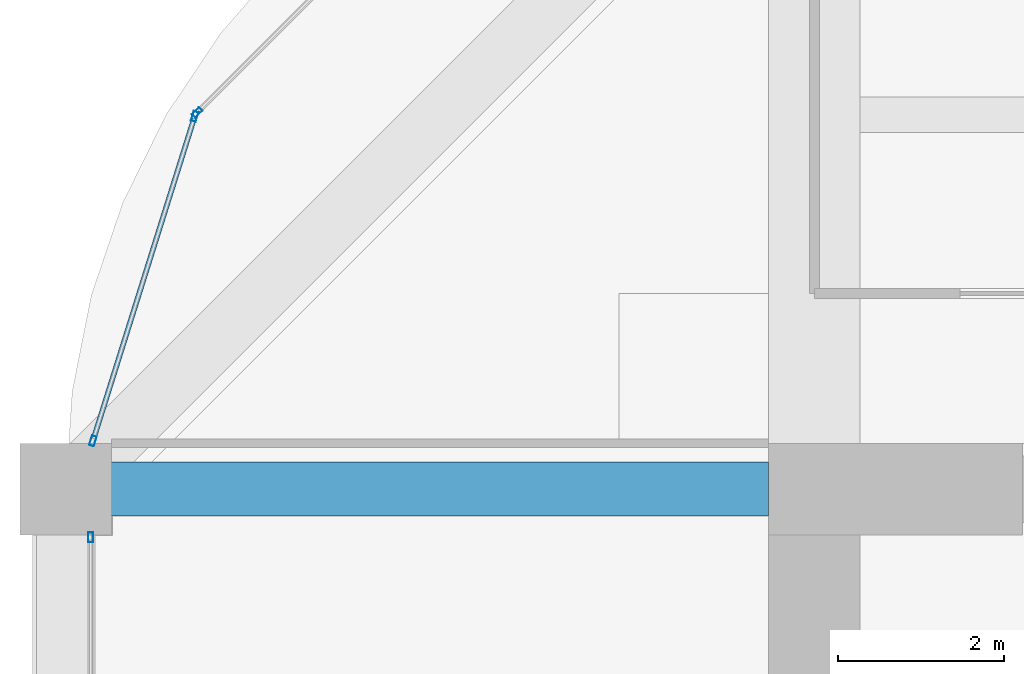
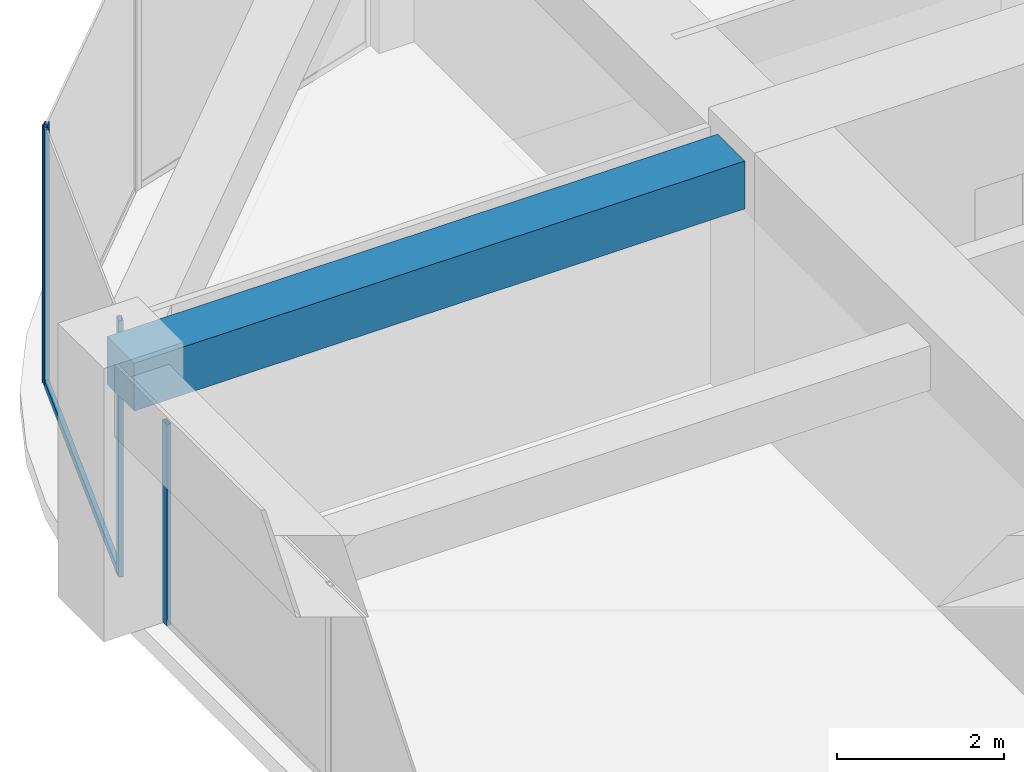
# One storey, part 28 of 44: 5 members, 1 beam, 3 elements without a shape of their own.
"""IFC4 building model written with IfcOpenShell, lengths in metres."""

from ifc_helpers import new_model, si_unit, direction, frame, origin, origin_2d, place, context, subcontext, project, spatial, rectangle, hollow_rectangle, extrude, material, material_profile, profile_set, type_object, element, aggregate, save


model = new_model("IFC4")

# Units and contexts
model_context = context("Model", 3, precision=1e-05, world=origin(), true_north=direction((0.0, 1.0)))
body_context = subcontext(model_context, "Body", "Model", "MODEL_VIEW")
ifc_project = project(units=[si_unit("LENGTHUNIT", "METRE"), si_unit("AREAUNIT", "SQUARE_METRE"), si_unit("VOLUMEUNIT", "CUBIC_METRE"), si_unit("PLANEANGLEUNIT", "RADIAN"), si_unit("MASSUNIT", "GRAM", prefix="KILO")], contexts=[model_context])

# Site, building, storey
site_placement = place(None, origin())
site = spatial("IfcSite", under=ifc_project, at=site_placement, CompositionType="ELEMENT")
building_placement = place(site_placement, origin())
building = spatial("IfcBuilding", under=site, at=building_placement, Name="Zorevar Civic Tower", CompositionType="ELEMENT")
storey_placement = place(building_placement, frame((0.0, 0.0, 299.39990234375)))
storey = spatial("IfcBuildingStorey", under=building, at=storey_placement, Name="L73", CompositionType="ELEMENT", Elevation=299.39990234375)

# Beam
ifc_material_1 = material(Name="Concrete C50/60", Category="concrete")
ifc_material_profile_1 = material_profile(ifc_material_1, rectangle(XDim=0.64990234375, YDim=0.699951171875, at=origin_2d()), Name="RC 650x700")
ifc_profile_set_1 = profile_set([ifc_material_profile_1], Name="Concrete C50/60")
beam_type = type_object("IfcBeamType", Name="Beam RC 650x700", PredefinedType="BEAM", material=ifc_profile_set_1)
beam_placement = place(storey_placement, frame((9.0, 36.0, 3.400146484375), z_axis=(1.0, 0.0, 0.0), x_axis=(0.0, 1.0, 0.0)))
element("IfcBeam", 1, at=beam_placement, inside=storey, type_object=beam_type, Name="Girder L74", PredefinedType="BEAM", context=body_context, shape_type="SweptSolid", body=[
    extrude(rectangle(XDim=0.64990234375, YDim=0.699951171875, at=origin_2d()), origin(), (0.0, 0.0, 1.0), 8.449951171875),
])

# Curtain wall, member
ifc_material_2 = material(Name="Dark grey solar-control glass in black aluminium frame", Category="aluminium")
curtain_wall_type = type_object("IfcCurtainWallType", Name="Curtain wall CW5 top zone", PredefinedType="NOTDEFINED", material=ifc_material_2)
curtain_wall_1_placement = place(storey_placement, origin())
curtain_wall_1 = element("IfcCurtainWall", 2, at=curtain_wall_1_placement, inside=storey, type_object=curtain_wall_type, Name="CW5 L73", PredefinedType="NOTDEFINED")
ifc_material_3 = material(Name="Aluminium, black anodised", Category="aluminium")
ifc_material_profile_2 = material_profile(ifc_material_3, hollow_rectangle(XDim=0.06005859375, YDim=0.1201171875, WallThickness=0.0029296875, at=origin_2d()), Name="AL 120x60x3")
ifc_profile_set_2 = profile_set([ifc_material_profile_2], Name="Aluminium, black anodised")
member_type_1 = type_object("IfcMemberType", Name="CW5 mullion AL 120x60x3", PredefinedType="MULLION", material=ifc_profile_set_2)
member_1_placement = place(storey_placement, frame((9.300048828125, 35.419921875, 0.0), z_axis=(0.0, 0.0, 1.0), x_axis=(-1.0, 0.0, 0.0)))
member_1 = element("IfcMember", 3, at=member_1_placement, type_object=member_type_1, Name="CW5 mullion 3", PredefinedType="MULLION", context=body_context, shape_type="SweptSolid", body=[
    extrude(hollow_rectangle(XDim=0.06005859375, YDim=0.1201171875, WallThickness=0.0029296875, at=origin_2d()), origin(), (0.0, 0.0, 1.0), 2.9501953125),
])
aggregate(curtain_wall_1, [member_1])

curtain_wall_2_placement = place(storey_placement, origin())
curtain_wall_2 = element("IfcCurtainWall", 4, at=curtain_wall_2_placement, inside=storey, type_object=curtain_wall_type, Name="CW5 L73", PredefinedType="NOTDEFINED")
member_2_placement = place(storey_placement, frame((10.580322265625, 40.529052734375, 0.0), z_axis=(0.0, 0.0, 1.0), x_axis=(0.707106781187, -0.707106781187, 0.0)))
member_2 = element("IfcMember", 5, at=member_2_placement, type_object=member_type_1, Name="CW5 mullion 2", PredefinedType="MULLION", context=body_context, shape_type="SweptSolid", body=[
    extrude(hollow_rectangle(XDim=0.06005859375, YDim=0.1201171875, WallThickness=0.0029296875, at=origin_2d()), origin(), (0.0, 0.0, 1.0), 3.75),
])
aggregate(curtain_wall_2, [member_2])

# Curtain wall, members
curtain_wall_3_placement = place(storey_placement, origin())
curtain_wall_3 = element("IfcCurtainWall", 6, at=curtain_wall_3_placement, inside=storey, type_object=curtain_wall_type, Name="CW5 L73", PredefinedType="NOTDEFINED")
member_3_placement = place(storey_placement, frame((10.550048828125, 40.479248046875, 0.0), z_axis=(0.0, 0.0, 1.0), x_axis=(0.954153437674, -0.299317920238, 0.0)))
member_3 = element("IfcMember", 7, at=member_3_placement, type_object=member_type_1, Name="CW5 mullion 1", PredefinedType="MULLION", context=body_context, shape_type="SweptSolid", body=[
    extrude(hollow_rectangle(XDim=0.06005859375, YDim=0.1201171875, WallThickness=0.0029296875, at=origin_2d()), origin(), (0.0, 0.0, 1.0), 3.75),
])
member_4_placement = place(storey_placement, frame((9.326416015625, 36.57861328125, 0.0), z_axis=(0.0, 0.0, 1.0), x_axis=(0.954153437674, -0.299317920238, 0.0)))
member_4 = element("IfcMember", 8, at=member_4_placement, type_object=member_type_1, Name="CW5 mullion 2", PredefinedType="MULLION", context=body_context, shape_type="SweptSolid", body=[
    extrude(hollow_rectangle(XDim=0.06005859375, YDim=0.1201171875, WallThickness=0.0029296875, at=origin_2d()), origin(), (0.0, 0.0, 1.0), 3.75),
])
ifc_material_4 = material(Name="Aluminium, black anodised", Category="aluminium")
ifc_material_profile_3 = material_profile(ifc_material_4, hollow_rectangle(XDim=0.06005859375, YDim=0.1201171875, WallThickness=0.0029296875, at=origin_2d()), Name="AL 120x60x3")
ifc_profile_set_3 = profile_set([ifc_material_profile_3], Name="Aluminium, black anodised")
member_type_2 = type_object("IfcMemberType", Name="CW5 transom AL 120x60x3", PredefinedType="USERDEFINED", material=ifc_profile_set_3)
member_5_placement = place(storey_placement, frame((10.541015625, 40.45068359375, 0.030029296875), z_axis=(-0.299285978047, -0.954163457351, 0.0), x_axis=(0.954163457351, -0.299285978047, 0.0)))
member_5 = element("IfcMember", 9, at=member_5_placement, type_object=member_type_2, Name="CW5 sill transom", ObjectType="TRANSOM", PredefinedType="USERDEFINED", context=body_context, shape_type="SweptSolid", body=[
    extrude(hollow_rectangle(XDim=0.06005859375, YDim=0.1201171875, WallThickness=0.0029296875, at=origin_2d()), origin(), (0.0, 0.0, 1.0), 4.028076171875),
])
aggregate(curtain_wall_3, [member_3, member_4, member_5])

save(model, "model.ifc")
